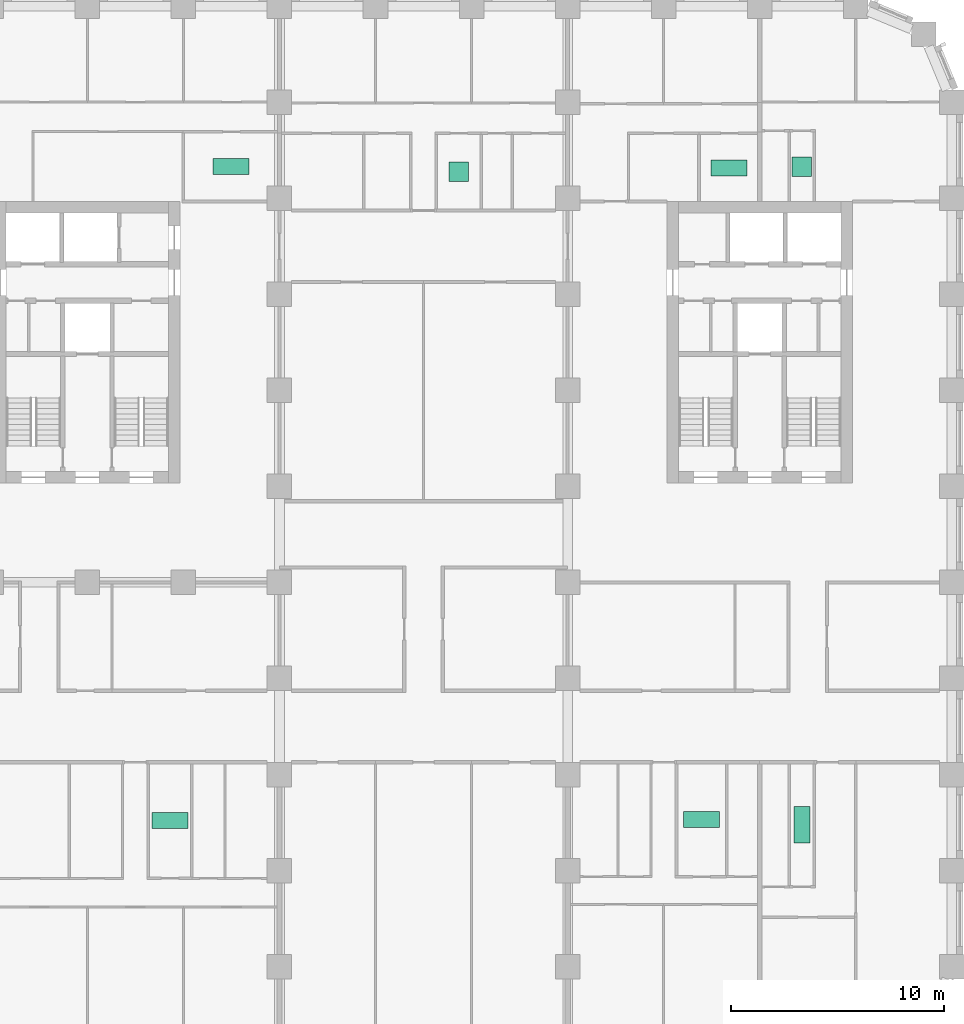
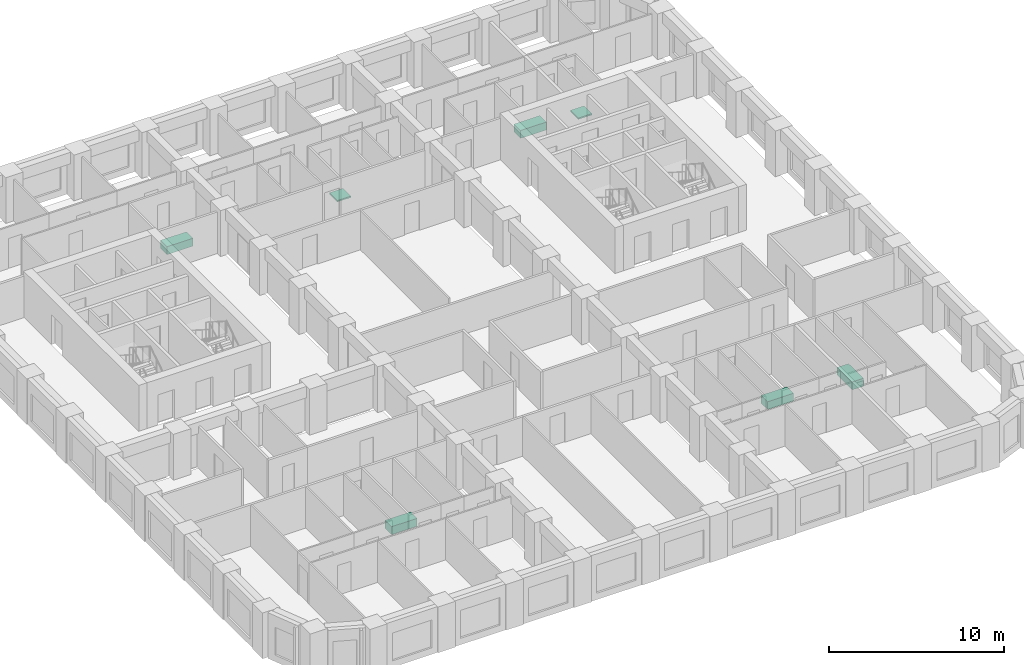
# One storey, part 13 of 13: 7 sanitary terminals.
"""IFC4 building model written with IfcOpenShell, lengths in metres."""

from ifc_helpers import new_model, si_unit, direction, frame, origin, origin_2d, place, context, subcontext, project, spatial, rectangle, extrude, material, type_object, element, save


model = new_model("IFC4")

# Units and contexts
model_context = context("Model", 3, precision=1e-05, world=origin(), true_north=direction((0.0, 1.0)))
body_context = subcontext(model_context, "Body", "Model", "MODEL_VIEW")
ifc_project = project(units=[si_unit("LENGTHUNIT", "METRE"), si_unit("AREAUNIT", "SQUARE_METRE"), si_unit("VOLUMEUNIT", "CUBIC_METRE"), si_unit("PLANEANGLEUNIT", "RADIAN"), si_unit("MASSUNIT", "GRAM", prefix="KILO")], contexts=[model_context])

# Site, building, storey
site_placement = place(None, origin())
site = spatial("IfcSite", under=ifc_project, at=site_placement, CompositionType="ELEMENT")
building_placement = place(site_placement, origin())
building = spatial("IfcBuilding", under=site, at=building_placement, Name="Girih Gate Residences", CompositionType="ELEMENT")
storey_placement = place(building_placement, frame((0.0, 0.0, 83.199951171875)))
storey = spatial("IfcBuildingStorey", under=building, at=storey_placement, Name="L22", CompositionType="ELEMENT", Elevation=83.199951171875)

# Sanitary terminals
ifc_material = material(Name="Acrylic")
sanitary_terminal_type_1 = type_object("IfcSanitaryTerminalType", Name="Bath 1700", PredefinedType="BATH", material=ifc_material)
for number, where, z_axis, x_axis, name in (
    (1, (12.8740234375, 11.34912109375, 0.0), (0.0, 0.0, 1.0), (1.0, 0.0, 0.0), "Bath 1700 L22"),
    (2, (15.72705078125, 41.990966796875, 0.0), (0.0, 0.0, 1.0), (1.0, 0.0, 0.0), "Bath 1700 L22"),
):
    element("IfcSanitaryTerminal", number, at=place(storey_placement, frame(where, z_axis=z_axis, x_axis=x_axis)), inside=storey, type_object=sanitary_terminal_type_1, Name=name, PredefinedType="BATH", context=body_context, shape_type="SweptSolid", body=[
        extrude(rectangle(XDim=1.699951171875, YDim=0.75, at=origin_2d()), origin(), (0.0, 0.0, 1.0), 0.550048828125),
    ])
sanitary_terminal_placement = place(storey_placement, frame((42.470947265625, 11.14892578125, 0.0), z_axis=(0.0, 0.0, 1.0), x_axis=(1.0, 0.0, 0.0)))
element("IfcSanitaryTerminal", 3, at=sanitary_terminal_placement, inside=storey, type_object=sanitary_terminal_type_1, Name="Bath 1700 L22", PredefinedType="BATH", context=body_context, shape_type="SweptSolid", body=[
    extrude(rectangle(XDim=0.75, YDim=1.699951171875, at=origin_2d()), origin(), (0.0, 0.0, 1.0), 0.550048828125),
])
for number, where, z_axis, x_axis, name in (
    (4, (37.77587890625, 11.388916015625, 0.0), (0.0, 0.0, 1.0), (1.0, 0.0, 0.0), "Bath 1700 L22"),
    (5, (39.06005859375, 41.916015625, 0.0), (0.0, 0.0, 1.0), (1.0, 0.0, 0.0), "Bath 1700 L22"),
):
    element("IfcSanitaryTerminal", number, at=place(storey_placement, frame(where, z_axis=z_axis, x_axis=x_axis)), inside=storey, type_object=sanitary_terminal_type_1, Name=name, PredefinedType="BATH", context=body_context, shape_type="SweptSolid", body=[
        extrude(rectangle(XDim=1.699951171875, YDim=0.75, at=origin_2d()), origin(), (0.0, 0.0, 1.0), 0.550048828125),
    ])
sanitary_terminal_type_2 = type_object("IfcSanitaryTerminalType", Name="Shower tray 900", PredefinedType="SHOWER", material=ifc_material)
for number, where, z_axis, x_axis, name in (
    (6, (42.470947265625, 41.97412109375, 0.0), (0.0, 0.0, 1.0), (1.0, 0.0, 0.0), "Shower tray 900 L22"),
    (7, (26.402099609375, 41.740966796875, 0.0), (0.0, 0.0, 1.0), (1.0, 0.0, 0.0), "Shower tray 900 L22"),
):
    element("IfcSanitaryTerminal", number, at=place(storey_placement, frame(where, z_axis=z_axis, x_axis=x_axis)), inside=storey, type_object=sanitary_terminal_type_2, Name=name, PredefinedType="SHOWER", context=body_context, shape_type="SweptSolid", body=[
        extrude(rectangle(XDim=0.89990234375, YDim=0.89990234375, at=origin_2d()), origin(), (0.0, 0.0, 1.0), 0.10009765625),
    ])

save(model, "model.ifc")
